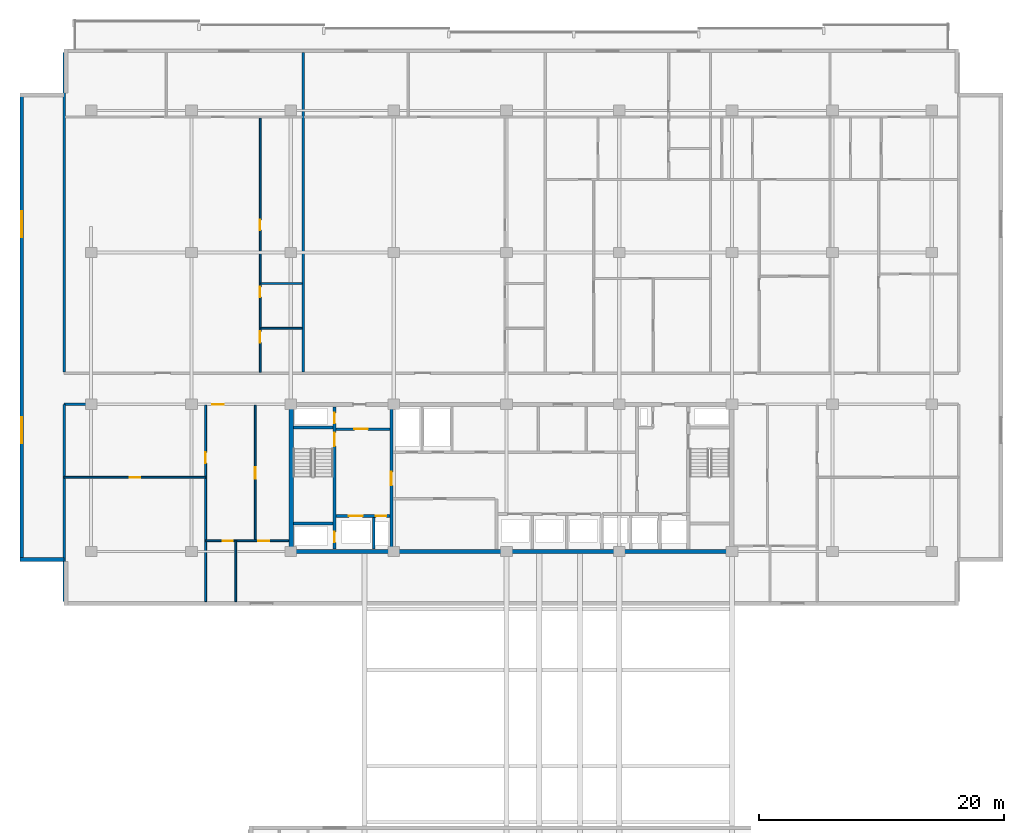
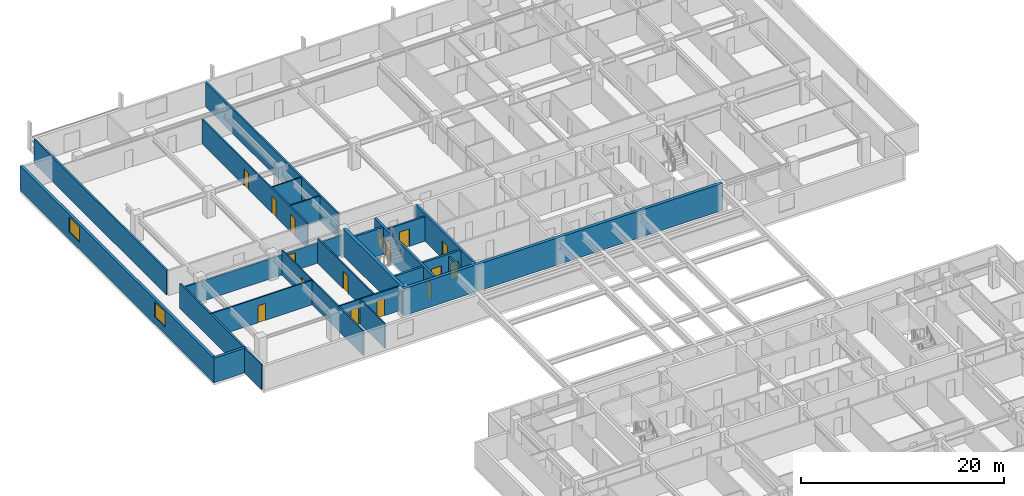
# One storey, part 10 of 21: 23 walls, 16 doors, 2 windows, 18 openings.
"""IFC4 building model written with IfcOpenShell, lengths in metres."""

from ifc_helpers import new_model, si_unit, direction, frame, frame_2d, origin, place, context, subcontext, project, spatial, rectangle, extrude, material, layer, layer_set, type_object, element, fill, save


model = new_model("IFC4")

# Units and contexts
model_context = context("Model", 3, precision=1e-05, world=origin(), true_north=direction((0.0, 1.0)))
body_context = subcontext(model_context, "Body", "Model", "MODEL_VIEW")
ifc_project = project(units=[si_unit("LENGTHUNIT", "METRE"), si_unit("AREAUNIT", "SQUARE_METRE"), si_unit("VOLUMEUNIT", "CUBIC_METRE"), si_unit("PLANEANGLEUNIT", "RADIAN"), si_unit("MASSUNIT", "GRAM", prefix="KILO")], contexts=[model_context])

# Site, building, storey
site_placement = place(None, origin())
site = spatial("IfcSite", under=ifc_project, at=site_placement, CompositionType="ELEMENT")
building_placement = place(site_placement, origin())
building = spatial("IfcBuilding", under=site, at=building_placement, Name="Korimba Cascade Residences", CompositionType="ELEMENT")
storey_placement = place(building_placement, frame((0.0, 0.0, 136.050048828125)))
storey = spatial("IfcBuildingStorey", under=building, at=storey_placement, Name="L39", CompositionType="ELEMENT", Elevation=136.050048828125)

# Wall, openings, windows
ifc_material_1 = material(Name="Precast concrete C40/50", Category="concrete")
ifc_layer_1 = layer(ifc_material_1, 0.300048828125)
ifc_layer_set_1 = layer_set([ifc_layer_1], Name="Precast concrete C40/50")
wall_type_1 = type_object("IfcWallType", Name="EW-STONE-300", PredefinedType="STANDARD", material=ifc_layer_set_1)
wall_1_placement = place(storey_placement, frame((54.14990234375, 92.60009765625, 0.0), z_axis=(0.0, 0.0, 1.0), x_axis=(0.0, -1.0, 0.0)))
wall_1 = element("IfcWall", 1, at=wall_1_placement, inside=storey, type_object=wall_type_1, Name="L39 T1 Perimeter Stone Wall E09", PredefinedType="STANDARD", context=body_context, shape_type="SweptSolid", body=[
    extrude(rectangle(XDim=38.2001953125, YDim=0.300048828125, at=frame_2d((19.10009765625, 0.0))), origin(), (0.0, 0.0, 1.0), 2.9599609375),
])
opening_1_placement = place(wall_1_placement, frame((9.64599609375, 0.0, 0.85009765625)))
opening_1 = element("IfcOpeningElement", 2, at=opening_1_placement, cuts=wall_1, Name="Opening W-03", PredefinedType="OPENING", context=body_context, shape_type="SweptSolid", body=[
    extrude(rectangle(XDim=2.10009765625, YDim=1.85009765625, at=frame_2d((1.050048828125, 0.925048828125))), frame((0.0, 0.16015625, 0.0), z_axis=(0.0, -1.0, 0.0), x_axis=(1.0, 0.0, 0.0)), (0.0, 0.0, 1.0), 0.320068359375),
])
opening_2_placement = place(wall_1_placement, frame((26.4541015625, 0.0, 0.85009765625)))
opening_2 = element("IfcOpeningElement", 3, at=opening_2_placement, cuts=wall_1, Name="Opening W-03", PredefinedType="OPENING", context=body_context, shape_type="SweptSolid", body=[
    extrude(rectangle(XDim=2.10009765625, YDim=1.85009765625, at=frame_2d((1.050048828125, 0.925048828125))), frame((0.0, 0.16015625, 0.0), z_axis=(0.0, -1.0, 0.0), x_axis=(1.0, 0.0, 0.0)), (0.0, 0.0, 1.0), 0.320068359375),
])
ifc_material_2 = material(Name="Double-Glazed Aluminium Window", Category="aluminium")
window_type = type_object("IfcWindowType", Name="WIN-CRN-2100", PartitioningType="DOUBLE_PANEL_HORIZONTAL", PredefinedType="WINDOW", material=ifc_material_2)
window_1_placement = place(opening_1_placement, origin())
window_1 = element("IfcWindow", 4, at=window_1_placement, inside=storey, type_object=window_type, Name="L39 T1 End View Window 9.1", OverallHeight=1.85009765625, OverallWidth=2.10009765625, PartitioningType="DOUBLE_PANEL_HORIZONTAL", PredefinedType="WINDOW", context=body_context, shape_type="SweptSolid", body=[
    extrude(rectangle(XDim=2.10009765625, YDim=1.85009765625, at=frame_2d((1.050048828125, 0.925048828125))), frame((0.0, 0.030029296875, 0.0), z_axis=(0.0, -1.0, 0.0), x_axis=(1.0, 0.0, 0.0)), (0.0, 0.0, 1.0), 0.06005859375),
])
fill(opening_1, window_1)
window_2_placement = place(opening_2_placement, origin())
window_2 = element("IfcWindow", 5, at=window_2_placement, inside=storey, type_object=window_type, Name="L39 T1 End View Window 9.2", OverallHeight=1.85009765625, OverallWidth=2.10009765625, PartitioningType="DOUBLE_PANEL_HORIZONTAL", PredefinedType="WINDOW", context=body_context, shape_type="SweptSolid", body=[
    extrude(rectangle(XDim=2.10009765625, YDim=1.85009765625, at=frame_2d((1.050048828125, 0.925048828125))), frame((0.0, 0.030029296875, 0.0), z_axis=(0.0, -1.0, 0.0), x_axis=(1.0, 0.0, 0.0)), (0.0, 0.0, 1.0), 0.06005859375),
])
fill(opening_2, window_2)

# Walls
wall_2_placement = place(storey_placement, frame((54.0, 54.550048828125, 0.0), z_axis=(0.0, 0.0, 1.0), x_axis=(1.0, 0.0, 0.0)))
element("IfcWall", 6, at=wall_2_placement, inside=storey, type_object=wall_type_1, Name="L39 T1 Perimeter Stone Wall E10", PredefinedType="STANDARD", context=body_context, shape_type="SweptSolid", body=[
    extrude(rectangle(XDim=3.60009765625, YDim=0.300048828125, at=frame_2d((1.800048828125, 0.0))), origin(), (0.0, 0.0, 1.0), 2.9599609375),
])
ifc_material_3 = material(Name="Concrete C65/80", Category="concrete")
ifc_layer_2 = layer(ifc_material_3, 0.35009765625)
ifc_layer_set_2 = layer_set([ifc_layer_2], Name="Concrete C65/80")
wall_type_2 = type_object("IfcWallType", Name="WAL-CORE-350", PredefinedType="SHEAR", material=ifc_layer_set_2)
wall_3_placement = place(storey_placement, frame((75.949951171875, 55.199951171875, 0.0), z_axis=(0.0, 0.0, 1.0), x_axis=(1.0, 0.0, 0.0)))
element("IfcWall", 7, at=wall_3_placement, inside=storey, type_object=wall_type_2, Name="L39 Core Shear Wall CW-L39-T1-S", PredefinedType="SHEAR", context=body_context, shape_type="SweptSolid", body=[
    extrude(rectangle(XDim=36.300048828125, YDim=0.35009765625, at=frame_2d((18.14990234375, 0.0))), origin(), (0.0, 0.0, 1.0), 3.25),
])
wall_4_placement = place(storey_placement, frame((76.125, 55.375, 0.0), z_axis=(0.0, 0.0, 1.0), x_axis=(0.0, 1.0, 0.0)))
element("IfcWall", 8, at=wall_4_placement, inside=storey, type_object=wall_type_2, Name="L39 Core Shear Wall CW-L39-T1-W", PredefinedType="SHEAR", context=body_context, shape_type="SweptSolid", body=[
    extrude(rectangle(XDim=11.64990234375, YDim=0.35009765625, at=frame_2d((5.824951171875, 0.0))), origin(), (0.0, 0.0, 1.0), 3.25),
])
ifc_layer_3 = layer(ifc_material_1, 0.199951171875)
ifc_layer_set_3 = layer_set([ifc_layer_3], Name="Precast concrete C40/50")
wall_type_3 = type_object("IfcWallType", Name="WAL-IT-200", PredefinedType="PARTITIONING", material=ifc_layer_set_3)
wall_5_placement = place(storey_placement, frame((57.60009765625, 51.10009765625, 0.0), z_axis=(0.0, 0.0, 1.0), x_axis=(0.0, 1.0, 0.0)))
element("IfcWall", 9, at=wall_5_placement, inside=storey, type_object=wall_type_3, Name="L39 Partition Wall WAL-L39-T1-FW-WL", PredefinedType="PARTITIONING", context=body_context, shape_type="SweptSolid", body=[
    extrude(rectangle(XDim=16.099853515625, YDim=0.199951171875, at=frame_2d((8.0498046875, 0.0))), origin(), (0.0, 0.0, 1.0), 2.9599609375),
])

# Wall, opening, door
wall_6_placement = place(storey_placement, frame((57.60009765625, 67.199951171875, 0.0), z_axis=(0.0, 0.0, 1.0), x_axis=(1.0, 0.0, 0.0)))
wall_6 = element("IfcWall", 10, at=wall_6_placement, inside=storey, type_object=wall_type_3, Name="L39 Partition Wall WAL-L39-T1-FW-N", PredefinedType="PARTITIONING", context=body_context, shape_type="SweptSolid", body=[
    extrude(rectangle(XDim=18.349853515625, YDim=0.199951171875, at=frame_2d((9.1748046875, 0.0))), origin(), (0.0, 0.0, 1.0), 2.42333984375),
])
opening_3_placement = place(wall_6_placement, frame((12.07470703125, 0.0, 0.0)))
opening_3 = element("IfcOpeningElement", 11, at=opening_3_placement, cuts=wall_6, Name="Opening D-UN1", PredefinedType="OPENING", context=body_context, shape_type="SweptSolid", body=[
    extrude(rectangle(XDim=0.949951171875, YDim=2.14990234375, at=frame_2d((0.47509765625, 1.074951171875))), frame((0.0, 0.10986328125, 0.0), z_axis=(0.0, -1.0, 0.0), x_axis=(1.0, 0.0, 0.0)), (0.0, 0.0, 1.0), 0.219970703125),
])
ifc_material_4 = material(Name="Fire-Rated Hardwood Apartment Entrance Door", Category="wood")
door_type_1 = type_object("IfcDoorType", Name="DR-FD60-950", OperationType="NOTDEFINED", PredefinedType="DOOR", material=ifc_material_4)
door_1_placement = place(opening_3_placement, origin())
door_1 = element("IfcDoor", 12, at=door_1_placement, inside=storey, type_object=door_type_1, Name="L39-T1-FW Entrance Door", OperationType="SINGLE_SWING_LEFT", OverallHeight=2.14990234375, OverallWidth=0.949951171875, PredefinedType="DOOR", context=body_context, shape_type="SweptSolid", body=[
    extrude(rectangle(XDim=0.949951171875, YDim=2.14990234375, at=frame_2d((0.47509765625, 1.074951171875))), frame((0.0, 0.02490234375, 0.0), z_axis=(0.0, -1.0, 0.0), x_axis=(1.0, 0.0, 0.0)), (0.0, 0.0, 1.0), 0.050048828125),
])
fill(opening_3, door_1)

# Walls
for number, where, z_axis, x_axis, name in (
    (13, (57.60009765625, 69.830078125, 0.0), (0.0, 0.0, 1.0), (0.0, 1.0, 0.0), "L39 Partition Wall WAL-L39-T1-BNDWL"),
    (14, (77.10009765625, 69.830078125, 0.0), (0.0, 0.0, 1.0), (0.0, 1.0, 0.0), "L39 Partition Wall WAL-L39-T1-DEM-1"),
):
    element("IfcWall", number, at=place(storey_placement, frame(where, z_axis=z_axis, x_axis=x_axis)), inside=storey, type_object=wall_type_3, Name=name, PredefinedType="PARTITIONING", context=body_context, shape_type="SweptSolid", body=[
        extrude(rectangle(XDim=26.06982421875, YDim=0.199951171875, at=frame_2d((13.034912109375, 0.0))), origin(), (0.0, 0.0, 1.0), 2.9599609375),
    ])

# Wall, opening, door
ifc_material_5 = material(Name="Insulated Acoustic Stud Partition", Category="gypsum")
ifc_layer_4 = layer(ifc_material_5, 0.14990234375)
ifc_layer_set_4 = layer_set([ifc_layer_4], Name="Insulated Acoustic Stud Partition")
wall_type_4 = type_object("IfcWallType", Name="WAL-PART-150", PredefinedType="PARTITIONING", material=ifc_layer_set_4)
wall_7_placement = place(storey_placement, frame((57.60009765625, 61.25, 0.0), z_axis=(0.0, 0.0, 1.0), x_axis=(1.0, 0.0, 0.0)))
wall_7 = element("IfcWall", 15, at=wall_7_placement, inside=storey, type_object=wall_type_4, Name="L39 Partition Wall WAL-L39-T1-FW-STH", PredefinedType="PARTITIONING", context=body_context, shape_type="SweptSolid", body=[
    extrude(rectangle(XDim=11.5498046875, YDim=0.14990234375, at=frame_2d((5.77490234375, 0.0))), origin(), (0.0, 0.0, 1.0), 2.9599609375),
])
opening_4_placement = place(wall_7_placement, frame((5.35498046875, 0.0, 0.0)))
opening_4 = element("IfcOpeningElement", 16, at=opening_4_placement, cuts=wall_7, Name="Opening D-BT1", PredefinedType="OPENING", context=body_context, shape_type="SweptSolid", body=[
    extrude(rectangle(XDim=0.840087890625, YDim=2.0400390625, at=frame_2d((0.419921875, 1.02001953125))), frame((0.0, 0.0849609375, 0.0), z_axis=(0.0, -1.0, 0.0), x_axis=(1.0, 0.0, 0.0)), (0.0, 0.0, 1.0), 0.169921875),
])
ifc_material_6 = material(Name="Moisture-Resistant Bathroom Timber Door", Category="wood")
door_type_2 = type_object("IfcDoorType", Name="DR-INT-850", OperationType="NOTDEFINED", PredefinedType="DOOR", material=ifc_material_6)
door_2_placement = place(opening_4_placement, origin())
door_2 = element("IfcDoor", 17, at=door_2_placement, inside=storey, type_object=door_type_2, Name="L39-T1-FW Dressing Store Door", OperationType="SINGLE_SWING_RIGHT", OverallHeight=2.0400390625, OverallWidth=0.840087890625, PredefinedType="DOOR", context=body_context, shape_type="SweptSolid", body=[
    extrude(rectangle(XDim=0.840087890625, YDim=2.0400390625, at=frame_2d((0.419921875, 1.02001953125))), frame((0.0, 0.02490234375, 0.0), z_axis=(0.0, -1.0, 0.0), x_axis=(1.0, 0.0, 0.0)), (0.0, 0.0, 1.0), 0.050048828125),
])
fill(opening_4, door_2)

wall_8_placement = place(storey_placement, frame((69.14990234375, 51.10009765625, 0.0), z_axis=(0.0, 0.0, 1.0), x_axis=(0.0, 1.0, 0.0)))
wall_8 = element("IfcWall", 18, at=wall_8_placement, inside=storey, type_object=wall_type_4, Name="L39 Partition Wall WAL-L39-T1-FW-STV", PredefinedType="PARTITIONING", context=body_context, shape_type="SweptSolid", body=[
    extrude(rectangle(XDim=16.0498046875, YDim=0.14990234375, at=frame_2d((8.02490234375, 0.0))), origin(), (0.0, 0.0, 1.0), 2.9599609375),
])
opening_5_placement = place(wall_8_placement, frame((11.300048828125, 0.0, 0.0)))
opening_5 = element("IfcOpeningElement", 19, at=opening_5_placement, cuts=wall_8, Name="Opening D-IN2", PredefinedType="OPENING", context=body_context, shape_type="SweptSolid", body=[
    extrude(rectangle(XDim=0.8798828125, YDim=2.06005859375, at=frame_2d((0.43994140625, 1.030029296875))), frame((0.0, 0.0849609375, 0.0), z_axis=(0.0, -1.0, 0.0), x_axis=(1.0, 0.0, 0.0)), (0.0, 0.0, 1.0), 0.169921875),
])
ifc_material_7 = material(Name="Acoustic Timber Bedroom Door", Category="wood")
door_type_3 = type_object("IfcDoorType", Name="DR-INT-880", OperationType="NOTDEFINED", PredefinedType="DOOR", material=ifc_material_7)
door_3_placement = place(opening_5_placement, origin())
door_3 = element("IfcDoor", 20, at=door_3_placement, inside=storey, type_object=door_type_3, Name="L39-T1-FW Study Door", OperationType="SINGLE_SWING_LEFT", OverallHeight=2.06005859375, OverallWidth=0.8798828125, PredefinedType="DOOR", context=body_context, shape_type="SweptSolid", body=[
    extrude(rectangle(XDim=0.8798828125, YDim=2.06005859375, at=frame_2d((0.43994140625, 1.030029296875))), frame((0.0, 0.02490234375, 0.0), z_axis=(0.0, -1.0, 0.0), x_axis=(1.0, 0.0, 0.0)), (0.0, 0.0, 1.0), 0.050048828125),
])
fill(opening_5, door_3)

wall_9_placement = place(storey_placement, frame((73.199951171875, 56.070068359375, 0.0), z_axis=(0.0, 0.0, 1.0), x_axis=(0.0, 1.0, 0.0)))
wall_9 = element("IfcWall", 21, at=wall_9_placement, inside=storey, type_object=wall_type_4, Name="L39 Partition Wall WAL-L39-T1-FW-VN", PredefinedType="PARTITIONING", context=body_context, shape_type="SweptSolid", body=[
    extrude(rectangle(XDim=11.079833984375, YDim=0.14990234375, at=frame_2d((5.5400390625, 0.0))), origin(), (0.0, 0.0, 1.0), 2.9599609375),
])
opening_6_placement = place(wall_9_placement, frame((5.080078125, 0.0, 0.0)))
opening_6 = element("IfcOpeningElement", 22, at=opening_6_placement, cuts=wall_9, Name="Opening D-IN1", PredefinedType="OPENING", context=body_context, shape_type="SweptSolid", body=[
    extrude(rectangle(XDim=0.919921875, YDim=2.080078125, at=frame_2d((0.4599609375, 1.0400390625))), frame((0.0, 0.0849609375, 0.0), z_axis=(0.0, -1.0, 0.0), x_axis=(1.0, 0.0, 0.0)), (0.0, 0.0, 1.0), 0.169921875),
])
ifc_material_8 = material(Name="Acoustic Timber Living Door", Category="wood")
door_type_4 = type_object("IfcDoorType", Name="DR-INT-920", OperationType="NOTDEFINED", PredefinedType="DOOR", material=ifc_material_8)
door_4_placement = place(opening_6_placement, origin())
door_4 = element("IfcDoor", 23, at=door_4_placement, inside=storey, type_object=door_type_4, Name="L39-T1-FW Living Door", OperationType="SINGLE_SWING_RIGHT", OverallHeight=2.080078125, OverallWidth=0.919921875, PredefinedType="DOOR", context=body_context, shape_type="SweptSolid", body=[
    extrude(rectangle(XDim=0.919921875, YDim=2.080078125, at=frame_2d((0.4599609375, 1.0400390625))), frame((0.0, 0.02490234375, 0.0), z_axis=(0.0, -1.0, 0.0), x_axis=(1.0, 0.0, 0.0)), (0.0, 0.0, 1.0), 0.050048828125),
])
fill(opening_6, door_4)

# Wall
wall_10_placement = place(storey_placement, frame((71.60009765625, 51.10009765625, 0.0), z_axis=(0.0, 0.0, 1.0), x_axis=(0.0, 1.0, 0.0)))
element("IfcWall", 24, at=wall_10_placement, inside=storey, type_object=wall_type_4, Name="L39 Partition Wall WAL-L39-T1-FW-VS", PredefinedType="PARTITIONING", context=body_context, shape_type="SweptSolid", body=[
    extrude(rectangle(XDim=4.969970703125, YDim=0.14990234375, at=frame_2d((2.48486328125, 0.0))), origin(), (0.0, 0.0, 1.0), 2.9599609375),
])

# Wall, openings, doors
wall_11_placement = place(storey_placement, frame((69.169921875, 56.070068359375, 0.0), z_axis=(0.0, 0.0, 1.0), x_axis=(1.0, 0.0, 0.0)))
wall_11 = element("IfcWall", 25, at=wall_11_placement, inside=storey, type_object=wall_type_4, Name="L39 Partition Wall WAL-L39-T1-FW-H", PredefinedType="PARTITIONING", context=body_context, shape_type="SweptSolid", body=[
    extrude(rectangle(XDim=6.760009765625, YDim=0.14990234375, at=frame_2d((3.3798828125, 0.0))), origin(), (0.0, 0.0, 1.0), 2.9599609375),
])
opening_7_placement = place(wall_11_placement, frame((1.3623046875, 0.0, 0.0)))
opening_7 = element("IfcOpeningElement", 26, at=opening_7_placement, cuts=wall_11, Name="Opening D-BT1", PredefinedType="OPENING", context=body_context, shape_type="SweptSolid", body=[
    extrude(rectangle(XDim=0.840087890625, YDim=2.0400390625, at=frame_2d((0.419921875, 1.02001953125))), frame((0.0, 0.0849609375, 0.0), z_axis=(0.0, -1.0, 0.0), x_axis=(1.0, 0.0, 0.0)), (0.0, 0.0, 1.0), 0.169921875),
])
opening_8_placement = place(wall_11_placement, frame((4.276611328125, 0.0, 0.0)))
opening_8 = element("IfcOpeningElement", 27, at=opening_8_placement, cuts=wall_11, Name="Opening D-IN2", PredefinedType="OPENING", context=body_context, shape_type="SweptSolid", body=[
    extrude(rectangle(XDim=0.8798828125, YDim=2.06005859375, at=frame_2d((0.43994140625, 1.030029296875))), frame((0.0, 0.0849609375, 0.0), z_axis=(0.0, -1.0, 0.0), x_axis=(1.0, 0.0, 0.0)), (0.0, 0.0, 1.0), 0.169921875),
])
door_5_placement = place(opening_7_placement, origin())
door_5 = element("IfcDoor", 28, at=door_5_placement, inside=storey, type_object=door_type_2, Name="L39-T1-FW Bathroom Door", OperationType="SINGLE_SWING_LEFT", OverallHeight=2.0400390625, OverallWidth=0.840087890625, PredefinedType="DOOR", context=body_context, shape_type="SweptSolid", body=[
    extrude(rectangle(XDim=0.840087890625, YDim=2.0400390625, at=frame_2d((0.419921875, 1.02001953125))), frame((0.0, 0.02490234375, 0.0), z_axis=(0.0, -1.0, 0.0), x_axis=(1.0, 0.0, 0.0)), (0.0, 0.0, 1.0), 0.050048828125),
])
fill(opening_7, door_5)
door_6_placement = place(opening_8_placement, origin())
door_6 = element("IfcDoor", 29, at=door_6_placement, inside=storey, type_object=door_type_3, Name="L39-T1-FW Bedroom Door", OperationType="SINGLE_SWING_RIGHT", OverallHeight=2.06005859375, OverallWidth=0.8798828125, PredefinedType="DOOR", context=body_context, shape_type="SweptSolid", body=[
    extrude(rectangle(XDim=0.8798828125, YDim=2.06005859375, at=frame_2d((0.43994140625, 1.030029296875))), frame((0.0, 0.02490234375, 0.0), z_axis=(0.0, -1.0, 0.0), x_axis=(1.0, 0.0, 0.0)), (0.0, 0.0, 1.0), 0.050048828125),
])
fill(opening_8, door_6)

# Walls
for number, where, z_axis, x_axis, name in (
    (30, (73.659912109375, 73.419921875, 0.0), (0.0, 0.0, 1.0), (1.0, 0.0, 0.0), "L39 Partition Wall WAL-L39-T1-U01-WCH"),
    (31, (73.659912109375, 77.070068359375, 0.0), (0.0, 0.0, 1.0), (1.0, 0.0, 0.0), "L39 Partition Wall WAL-L39-T1-U01-WCH2"),
):
    element("IfcWall", number, at=place(storey_placement, frame(where, z_axis=z_axis, x_axis=x_axis)), inside=storey, type_object=wall_type_4, Name=name, PredefinedType="PARTITIONING", context=body_context, shape_type="SweptSolid", body=[
        extrude(rectangle(XDim=3.360107421875, YDim=0.14990234375, at=frame_2d((1.68017578125, 0.0))), origin(), (0.0, 0.0, 1.0), 2.9599609375),
    ])

# Wall, openings, doors
wall_12_placement = place(storey_placement, frame((73.60009765625, 69.81005859375, 0.0), z_axis=(0.0, 0.0, 1.0), x_axis=(0.0, 1.0, 0.0)))
wall_12 = element("IfcWall", 32, at=wall_12_placement, inside=storey, type_object=wall_type_4, Name="L39 Partition Wall WAL-L39-T1-U01-WCV", PredefinedType="PARTITIONING", context=body_context, shape_type="SweptSolid", body=[
    extrude(rectangle(XDim=20.780029296875, YDim=0.14990234375, at=frame_2d((10.39013671875, 0.0))), origin(), (0.0, 0.0, 1.0), 2.9599609375),
])
opening_9_placement = place(wall_12_placement, frame((2.406005859375, 0.0, 0.0)))
opening_9 = element("IfcOpeningElement", 33, at=opening_9_placement, cuts=wall_12, Name="Opening D-AC1", PredefinedType="OPENING", context=body_context, shape_type="SweptSolid", body=[
    extrude(rectangle(XDim=0.9599609375, YDim=2.10009765625, at=frame_2d((0.47998046875, 1.050048828125))), frame((0.0, 0.0849609375, 0.0), z_axis=(0.0, -1.0, 0.0), x_axis=(1.0, 0.0, 0.0)), (0.0, 0.0, 1.0), 0.169921875),
])
opening_10_placement = place(wall_12_placement, frame((6.132568359375, 0.0, 0.0)))
opening_10 = element("IfcOpeningElement", 34, at=opening_10_placement, cuts=wall_12, Name="Opening D-IN2", PredefinedType="OPENING", context=body_context, shape_type="SweptSolid", body=[
    extrude(rectangle(XDim=0.8798828125, YDim=2.06005859375, at=frame_2d((0.43994140625, 1.030029296875))), frame((0.0, 0.0849609375, 0.0), z_axis=(0.0, -1.0, 0.0), x_axis=(1.0, 0.0, 0.0)), (0.0, 0.0, 1.0), 0.169921875),
])
opening_11_placement = place(wall_12_placement, frame((11.61474609375, 0.0, 0.0)))
opening_11 = element("IfcOpeningElement", 35, at=opening_11_placement, cuts=wall_12, Name="Opening D-BT1", PredefinedType="OPENING", context=body_context, shape_type="SweptSolid", body=[
    extrude(rectangle(XDim=0.840087890625, YDim=2.0400390625, at=frame_2d((0.419921875, 1.02001953125))), frame((0.0, 0.0849609375, 0.0), z_axis=(0.0, -1.0, 0.0), x_axis=(1.0, 0.0, 0.0)), (0.0, 0.0, 1.0), 0.169921875),
])
ifc_material_9 = material(Name="Accessible Acoustic Timber WC Door", Category="wood")
door_type_5 = type_object("IfcDoorType", Name="DR-ACC-950", OperationType="NOTDEFINED", PredefinedType="DOOR", material=ifc_material_9)
door_7_placement = place(opening_9_placement, origin())
door_7 = element("IfcDoor", 36, at=door_7_placement, inside=storey, type_object=door_type_5, Name="L39-T1-U01 Accessible WC Door", OperationType="SINGLE_SWING_RIGHT", OverallHeight=2.10009765625, OverallWidth=0.9599609375, PredefinedType="DOOR", context=body_context, shape_type="SweptSolid", body=[
    extrude(rectangle(XDim=0.9599609375, YDim=2.10009765625, at=frame_2d((0.47998046875, 1.050048828125))), frame((0.0, 0.02490234375, 0.0), z_axis=(0.0, -1.0, 0.0), x_axis=(1.0, 0.0, 0.0)), (0.0, 0.0, 1.0), 0.050048828125),
])
fill(opening_9, door_7)
door_8_placement = place(opening_11_placement, origin())
door_8 = element("IfcDoor", 37, at=door_8_placement, inside=storey, type_object=door_type_2, Name="L39-T1-U01 Suite Store Door", OperationType="SINGLE_SWING_RIGHT", OverallHeight=2.0400390625, OverallWidth=0.840087890625, PredefinedType="DOOR", context=body_context, shape_type="SweptSolid", body=[
    extrude(rectangle(XDim=0.840087890625, YDim=2.0400390625, at=frame_2d((0.419921875, 1.02001953125))), frame((0.0, 0.02490234375, 0.0), z_axis=(0.0, -1.0, 0.0), x_axis=(1.0, 0.0, 0.0)), (0.0, 0.0, 1.0), 0.050048828125),
])
fill(opening_11, door_8)
door_9_placement = place(opening_10_placement, origin())
door_9 = element("IfcDoor", 38, at=door_9_placement, inside=storey, type_object=door_type_3, Name="L39-T1-U01 Restroom WC Door", OperationType="SINGLE_SWING_LEFT", OverallHeight=2.06005859375, OverallWidth=0.8798828125, PredefinedType="DOOR", context=body_context, shape_type="SweptSolid", body=[
    extrude(rectangle(XDim=0.8798828125, YDim=2.06005859375, at=frame_2d((0.43994140625, 1.030029296875))), frame((0.0, 0.02490234375, 0.0), z_axis=(0.0, -1.0, 0.0), x_axis=(1.0, 0.0, 0.0)), (0.0, 0.0, 1.0), 0.050048828125),
])
fill(opening_10, door_9)

# Wall
ifc_material_10 = material(Name="Concrete C40/50", Category="concrete")
ifc_layer_5 = layer(ifc_material_10, 0.199951171875)
ifc_layer_set_5 = layer_set([ifc_layer_5], Name="Concrete C40/50")
wall_type_5 = type_object("IfcWallType", Name="WAL-PART-200", PredefinedType="PARTITIONING", material=ifc_layer_set_5)
wall_13_placement = place(storey_placement, frame((82.85009765625, 55.39990234375, 0.0), z_axis=(0.0, 0.0, 1.0), x_axis=(0.0, 1.0, 0.0)))
element("IfcWall", 39, at=wall_13_placement, inside=storey, type_object=wall_type_5, Name="L39 Partition Wall CW-L39-T1-FFLDIV", PredefinedType="PARTITIONING", context=body_context, shape_type="SweptSolid", body=[
    extrude(rectangle(XDim=2.56005859375, YDim=0.199951171875, at=frame_2d((1.280029296875, 0.0))), origin(), (0.0, 0.0, 1.0), 2.9599609375),
])

# Wall, opening, door
wall_14_placement = place(storey_placement, frame((79.7900390625, 65.179931640625, 0.0), z_axis=(0.0, 0.0, 1.0), x_axis=(1.0, 0.0, 0.0)))
wall_14 = element("IfcWall", 40, at=wall_14_placement, inside=storey, type_object=wall_type_5, Name="L39 Partition Wall CW-L39-T1-FFLN", PredefinedType="PARTITIONING", context=body_context, shape_type="SweptSolid", body=[
    extrude(rectangle(XDim=4.389892578125, YDim=0.199951171875, at=frame_2d((2.19482421875, 0.0))), origin(), (0.0, 0.0, 1.0), 2.9599609375),
])
opening_12_placement = place(wall_14_placement, frame((1.5, 0.0, 0.0)))
opening_12 = element("IfcOpeningElement", 41, at=opening_12_placement, cuts=wall_14, Name="Opening D-FD1", PredefinedType="OPENING", context=body_context, shape_type="SweptSolid", body=[
    extrude(rectangle(XDim=1.10009765625, YDim=2.10009765625, at=frame_2d((0.550048828125, 1.050048828125))), frame((0.0, 0.10986328125, 0.0), z_axis=(0.0, -1.0, 0.0), x_axis=(1.0, 0.0, 0.0)), (0.0, 0.0, 1.0), 0.219970703125),
])
ifc_material_11 = material(Name="Fire-Rated Steel Core Door", Category="steel")
door_type_6 = type_object("IfcDoorType", Name="DR-FD120-1100", OperationType="NOTDEFINED", PredefinedType="DOOR", material=ifc_material_11)
door_10_placement = place(opening_12_placement, origin())
door_10 = element("IfcDoor", 42, at=door_10_placement, inside=storey, type_object=door_type_6, Name="L39 West Firefighting Lobby Door", OperationType="SINGLE_SWING_LEFT", OverallHeight=2.10009765625, OverallWidth=1.10009765625, PredefinedType="DOOR", context=body_context, shape_type="SweptSolid", body=[
    extrude(rectangle(XDim=1.10009765625, YDim=2.10009765625, at=frame_2d((0.550048828125, 1.050048828125))), frame((0.0, 0.02490234375, 0.0), z_axis=(0.0, -1.0, 0.0), x_axis=(1.0, 0.0, 0.0)), (0.0, 0.0, 1.0), 0.050048828125),
])
fill(opening_12, door_10)

# Wall, openings, doors
ifc_material_12 = material(Name="Concrete C50/60", Category="concrete")
ifc_layer_6 = layer(ifc_material_12, 0.25)
ifc_layer_set_6 = layer_set([ifc_layer_6], Name="Concrete C50/60")
wall_type_6 = type_object("IfcWallType", Name="WAL-SHAFT-250", PredefinedType="SHEAR", material=ifc_layer_set_6)
wall_15_placement = place(storey_placement, frame((79.6650390625, 55.39990234375, 0.0), z_axis=(0.0, 0.0, 1.0), x_axis=(0.0, 1.0, 0.0)))
wall_15 = element("IfcWall", 43, at=wall_15_placement, inside=storey, type_object=wall_type_6, Name="L39 Core Shear Wall CW-L39-T1-STW1E", PredefinedType="SHEAR", context=body_context, shape_type="SweptSolid", body=[
    extrude(rectangle(XDim=11.60009765625, YDim=0.25, at=frame_2d((5.800048828125, 0.0))), origin(), (0.0, 0.0, 1.0), 3.25),
])
opening_13_placement = place(wall_15_placement, frame((0.550048828125, 0.0, 0.0)))
opening_13 = element("IfcOpeningElement", 44, at=opening_13_placement, cuts=wall_15, Name="Opening D-RS1", PredefinedType="OPENING", context=body_context, shape_type="SweptSolid", body=[
    extrude(rectangle(XDim=0.85009765625, YDim=2.050048828125, at=frame_2d((0.425048828125, 1.02490234375))), frame((0.0, 0.135009765625, 0.0), z_axis=(0.0, -1.0, 0.0), x_axis=(1.0, 0.0, 0.0)), (0.0, 0.0, 1.0), 0.27001953125),
])
opening_14_placement = place(wall_15_placement, frame((8.39990234375, 0.0, 0.0)))
opening_14 = element("IfcOpeningElement", 45, at=opening_14_placement, cuts=wall_15, Name="Opening D-FD1", PredefinedType="OPENING", context=body_context, shape_type="SweptSolid", body=[
    extrude(rectangle(XDim=1.10009765625, YDim=2.10009765625, at=frame_2d((0.550048828125, 1.050048828125))), frame((0.0, 0.135009765625, 0.0), z_axis=(0.0, -1.0, 0.0), x_axis=(1.0, 0.0, 0.0)), (0.0, 0.0, 1.0), 0.27001953125),
])
opening_15_placement = place(wall_15_placement, frame((10.25, 0.0, 0.0)))
opening_15 = element("IfcOpeningElement", 46, at=opening_15_placement, cuts=wall_15, Name="Opening D-RS1", PredefinedType="OPENING", context=body_context, shape_type="SweptSolid", body=[
    extrude(rectangle(XDim=0.85009765625, YDim=2.050048828125, at=frame_2d((0.425048828125, 1.02490234375))), frame((0.0, 0.135009765625, 0.0), z_axis=(0.0, -1.0, 0.0), x_axis=(1.0, 0.0, 0.0)), (0.0, 0.0, 1.0), 0.27001953125),
])
door_11_placement = place(opening_14_placement, origin())
door_11 = element("IfcDoor", 47, at=door_11_placement, inside=storey, type_object=door_type_6, Name="L39 Fire Stair ST-W1 Door", OperationType="SINGLE_SWING_RIGHT", OverallHeight=2.10009765625, OverallWidth=1.10009765625, PredefinedType="DOOR", context=body_context, shape_type="SweptSolid", body=[
    extrude(rectangle(XDim=1.10009765625, YDim=2.10009765625, at=frame_2d((0.550048828125, 1.050048828125))), frame((0.0, 0.02490234375, 0.0), z_axis=(0.0, -1.0, 0.0), x_axis=(1.0, 0.0, 0.0)), (0.0, 0.0, 1.0), 0.050048828125),
])
fill(opening_14, door_11)
ifc_material_13 = material(Name="Fire-Rated Steel Riser Access Door", Category="steel")
door_type_7 = type_object("IfcDoorType", Name="DR-FD60-850", OperationType="NOTDEFINED", PredefinedType="DOOR", material=ifc_material_13)
door_12_placement = place(opening_13_placement, origin())
door_12 = element("IfcDoor", 48, at=door_12_placement, inside=storey, type_object=door_type_7, Name="L39 Smoke Riser Access Door", OperationType="SINGLE_SWING_LEFT", OverallHeight=2.050048828125, OverallWidth=0.85009765625, PredefinedType="DOOR", context=body_context, shape_type="SweptSolid", body=[
    extrude(rectangle(XDim=0.85009765625, YDim=2.050048828125, at=frame_2d((0.425048828125, 1.02490234375))), frame((0.0, 0.02490234375, 0.0), z_axis=(0.0, -1.0, 0.0), x_axis=(1.0, 0.0, 0.0)), (0.0, 0.0, 1.0), 0.050048828125),
])
fill(opening_13, door_12)
door_13_placement = place(opening_15_placement, origin())
door_13 = element("IfcDoor", 49, at=door_13_placement, inside=storey, type_object=door_type_7, Name="L39 Hydrant Riser Access Door", OperationType="SINGLE_SWING_LEFT", OverallHeight=2.050048828125, OverallWidth=0.85009765625, PredefinedType="DOOR", context=body_context, shape_type="SweptSolid", body=[
    extrude(rectangle(XDim=0.85009765625, YDim=2.050048828125, at=frame_2d((0.425048828125, 1.02490234375))), frame((0.0, 0.02490234375, 0.0), z_axis=(0.0, -1.0, 0.0), x_axis=(1.0, 0.0, 0.0)), (0.0, 0.0, 1.0), 0.050048828125),
])
fill(opening_15, door_13)

# Walls
for number, where, z_axis, x_axis, name in (
    (50, (76.300048828125, 57.47509765625, 0.0), (0.0, 0.0, 1.0), (1.0, 0.0, 0.0), "L39 Core Shear Wall CW-L39-T1-STW1S"),
    (51, (76.300048828125, 65.324951171875, 0.0), (0.0, 0.0, 1.0), (1.0, 0.0, 0.0), "L39 Core Shear Wall CW-L39-T1-STW1N"),
):
    element("IfcWall", number, at=place(storey_placement, frame(where, z_axis=z_axis, x_axis=x_axis)), inside=storey, type_object=wall_type_6, Name=name, PredefinedType="SHEAR", context=body_context, shape_type="SweptSolid", body=[
        extrude(rectangle(XDim=3.239990234375, YDim=0.25, at=frame_2d((1.6201171875, 0.0))), origin(), (0.0, 0.0, 1.0), 3.25),
    ])

# Wall, openings, doors
wall_16_placement = place(storey_placement, frame((79.7900390625, 58.10009765625, 0.0), z_axis=(0.0, 0.0, 1.0), x_axis=(1.0, 0.0, 0.0)))
wall_16 = element("IfcWall", 52, at=wall_16_placement, inside=storey, type_object=wall_type_6, Name="L39 Core Shear Wall CW-L39-T1-FFLS", PredefinedType="SHEAR", context=body_context, shape_type="SweptSolid", body=[
    extrude(rectangle(XDim=4.389892578125, YDim=0.25, at=frame_2d((2.19482421875, 0.0))), origin(), (0.0, 0.0, 1.0), 3.25),
])
opening_16_placement = place(wall_16_placement, frame((1.050048828125, 0.0, 0.0)))
opening_16 = element("IfcOpeningElement", 53, at=opening_16_placement, cuts=wall_16, Name="Opening LD-01", PredefinedType="OPENING", context=body_context, shape_type="SweptSolid", body=[
    extrude(rectangle(XDim=1.1201171875, YDim=2.1201171875, at=frame_2d((0.56005859375, 1.06005859375))), frame((0.0, 0.135009765625, 0.0), z_axis=(0.0, -1.0, 0.0), x_axis=(1.0, 0.0, 0.0)), (0.0, 0.0, 1.0), 0.27001953125),
])
opening_17_placement = place(wall_16_placement, frame((3.260009765625, 0.0, 0.0)))
opening_17 = element("IfcOpeningElement", 54, at=opening_17_placement, cuts=wall_16, Name="Opening D-RS1", PredefinedType="OPENING", context=body_context, shape_type="SweptSolid", body=[
    extrude(rectangle(XDim=0.85009765625, YDim=2.050048828125, at=frame_2d((0.425048828125, 1.02490234375))), frame((0.0, 0.135009765625, 0.0), z_axis=(0.0, -1.0, 0.0), x_axis=(1.0, 0.0, 0.0)), (0.0, 0.0, 1.0), 0.27001953125),
])
door_14_placement = place(opening_17_placement, origin())
door_14 = element("IfcDoor", 55, at=door_14_placement, inside=storey, type_object=door_type_7, Name="L39 Pressurisation Riser Door", OperationType="SINGLE_SWING_RIGHT", OverallHeight=2.050048828125, OverallWidth=0.85009765625, PredefinedType="DOOR", context=body_context, shape_type="SweptSolid", body=[
    extrude(rectangle(XDim=0.85009765625, YDim=2.050048828125, at=frame_2d((0.425048828125, 1.02490234375))), frame((0.0, 0.02490234375, 0.0), z_axis=(0.0, -1.0, 0.0), x_axis=(1.0, 0.0, 0.0)), (0.0, 0.0, 1.0), 0.050048828125),
])
fill(opening_17, door_14)
ifc_material_14 = material(Name="Stainless Steel Lift Landing Sliding Door", Category="steel")
door_type_8 = type_object("IfcDoorType", Name="DR-LIFT-1100", OperationType="NOTDEFINED", PredefinedType="DOOR", material=ifc_material_14)
door_15_placement = place(opening_16_placement, origin())
door_15 = element("IfcDoor", 56, at=door_15_placement, inside=storey, type_object=door_type_8, Name="L39 Firefighting Lift Landing Door FFL-W1", OperationType="SLIDING_TO_LEFT", OverallHeight=2.1201171875, OverallWidth=1.1201171875, PredefinedType="DOOR", context=body_context, shape_type="SweptSolid", body=[
    extrude(rectangle(XDim=1.1201171875, YDim=2.1201171875, at=frame_2d((0.56005859375, 1.06005859375))), frame((0.0, 0.02490234375, 0.0), z_axis=(0.0, -1.0, 0.0), x_axis=(1.0, 0.0, 0.0)), (0.0, 0.0, 1.0), 0.050048828125),
])
fill(opening_16, door_15)

# Wall, opening, door
wall_17_placement = place(storey_placement, frame((84.300048828125, 55.39990234375, 0.0), z_axis=(0.0, 0.0, 1.0), x_axis=(0.0, 1.0, 0.0)))
wall_17 = element("IfcWall", 57, at=wall_17_placement, inside=storey, type_object=wall_type_6, Name="L39 Core Shear Wall CW-L39-T1-FFLE", PredefinedType="SHEAR", context=body_context, shape_type="SweptSolid", body=[
    extrude(rectangle(XDim=11.60009765625, YDim=0.25, at=frame_2d((5.800048828125, 0.0))), origin(), (0.0, 0.0, 1.0), 3.25),
])
opening_18_placement = place(wall_17_placement, frame((5.199951171875, 0.0, 0.0)))
opening_18 = element("IfcOpeningElement", 58, at=opening_18_placement, cuts=wall_17, Name="Opening D-FD1", PredefinedType="OPENING", context=body_context, shape_type="SweptSolid", body=[
    extrude(rectangle(XDim=1.10009765625, YDim=2.10009765625, at=frame_2d((0.550048828125, 1.050048828125))), frame((0.0, 0.135009765625, 0.0), z_axis=(0.0, -1.0, 0.0), x_axis=(1.0, 0.0, 0.0)), (0.0, 0.0, 1.0), 0.27001953125),
])
door_16_placement = place(opening_18_placement, origin())
door_16 = element("IfcDoor", 59, at=door_16_placement, inside=storey, type_object=door_type_6, Name="L39 Firefighting Lobby to Lift Lobby Door", OperationType="SINGLE_SWING_RIGHT", OverallHeight=2.10009765625, OverallWidth=1.10009765625, PredefinedType="DOOR", context=body_context, shape_type="SweptSolid", body=[
    extrude(rectangle(XDim=1.10009765625, YDim=2.10009765625, at=frame_2d((0.550048828125, 1.050048828125))), frame((0.0, 0.02490234375, 0.0), z_axis=(0.0, -1.0, 0.0), x_axis=(1.0, 0.0, 0.0)), (0.0, 0.0, 1.0), 0.050048828125),
])
fill(opening_18, door_16)

save(model, "model.ifc")
